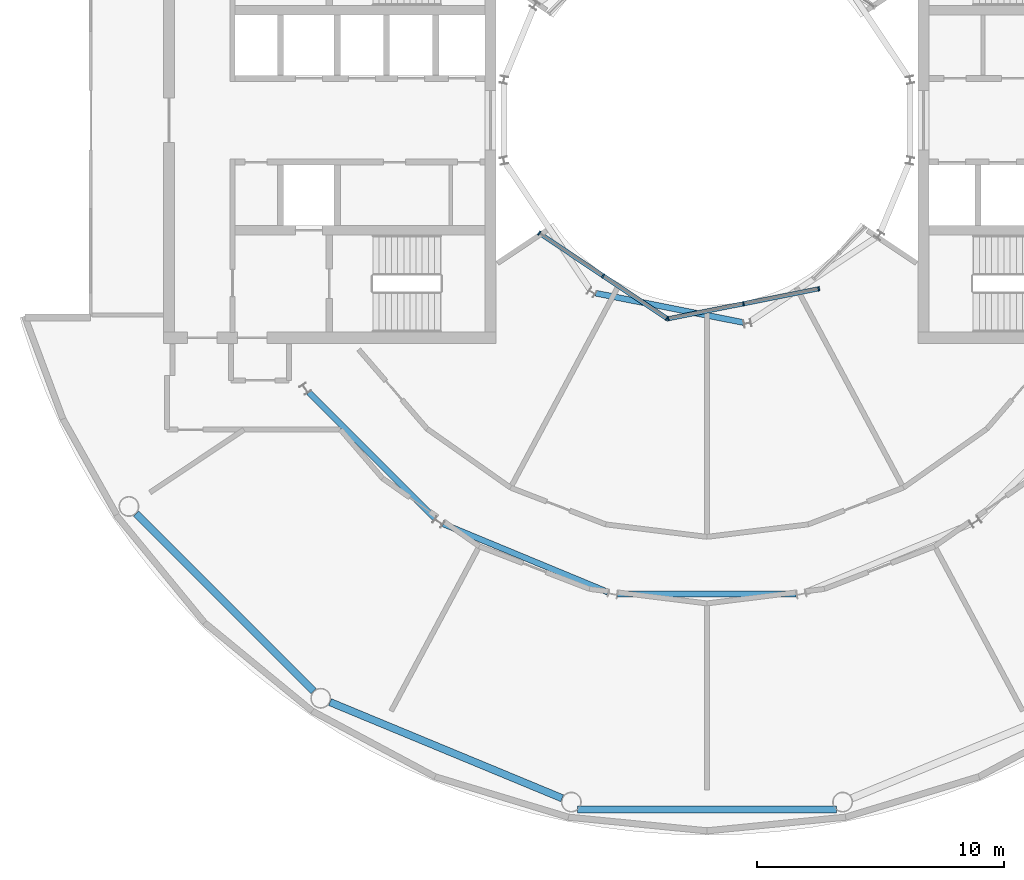
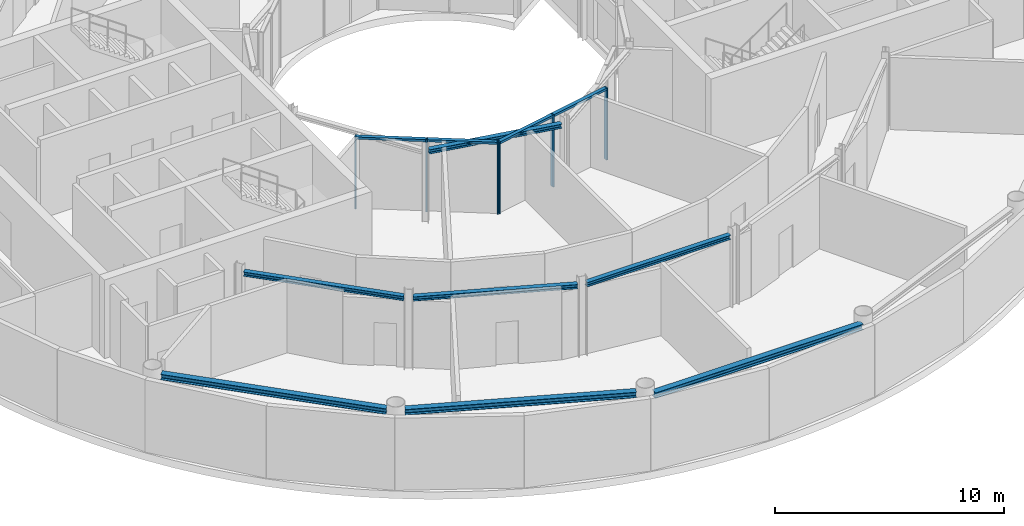
# One storey, part 6 of 19: 10 members, 7 beams, 2 elements without a shape of their own.
"""IFC4 building model written with IfcOpenShell, lengths in metres."""

from ifc_helpers import new_model, si_unit, direction, frame, origin, origin_2d, place, context, subcontext, project, spatial, rectangle, i_section, extrude, material, layer, layer_set, material_profile, profile_set, type_object, element, aggregate, save


model = new_model("IFC4")

# Units and contexts
model_context = context("Model", 3, precision=1e-05, world=origin(), true_north=direction((0.0, 1.0)))
body_context = subcontext(model_context, "Body", "Model", "MODEL_VIEW")
ifc_project = project(units=[si_unit("LENGTHUNIT", "METRE"), si_unit("AREAUNIT", "SQUARE_METRE"), si_unit("VOLUMEUNIT", "CUBIC_METRE"), si_unit("PLANEANGLEUNIT", "RADIAN"), si_unit("MASSUNIT", "GRAM", prefix="KILO")], contexts=[model_context])

# Site, building, storey
site_placement = place(None, origin())
site = spatial("IfcSite", under=ifc_project, at=site_placement, CompositionType="ELEMENT")
building_placement = place(site_placement, origin())
building = spatial("IfcBuilding", under=site, at=building_placement, Name="Maasbend Ring Residences", CompositionType="ELEMENT")
storey_placement = place(building_placement, frame((0.0, 0.0, 186.0)))
storey = spatial("IfcBuildingStorey", under=building, at=storey_placement, Name="L53", CompositionType="ELEMENT", Elevation=186.0)

# Curtain wall, members
ifc_material_1 = material(Name="Aluminium and clear glass", Category="aluminium")
ifc_layer = layer(ifc_material_1, 0.179931640625)
ifc_layer_set = layer_set([ifc_layer], Name="CW-W")
curtain_wall_type = type_object("IfcCurtainWallType", Name="CW-W", PredefinedType="NOTDEFINED", material=ifc_layer_set)
curtain_wall_1_placement = place(storey_placement, origin())
curtain_wall_1 = element("IfcCurtainWall", 1, at=curtain_wall_1_placement, inside=storey, type_object=curtain_wall_type, Name="Well curtain wall S1", PredefinedType="NOTDEFINED")
ifc_material_2 = material(Name="Aluminium 6063-T6", Category="aluminium")
ifc_material_profile_1 = material_profile(ifc_material_2, rectangle(XDim=0.179931640625, YDim=0.06005859375, at=origin_2d()), Name="AL 180x60")
ifc_profile_set_1 = profile_set([ifc_material_profile_1], Name="Aluminium 6063-T6")
member_type_1 = type_object("IfcMemberType", Name="CWM-W", PredefinedType="MULLION", material=ifc_profile_set_1)
member_1_placement = place(storey_placement, frame((-6.805908203125, -4.580810546875, 0.0), z_axis=(0.0, 0.0, 1.0), x_axis=(0.55557023302, 0.831469612303, 0.0)))
member_1 = element("IfcMember", 2, at=member_1_placement, type_object=member_type_1, Name="Mullion well face", PredefinedType="MULLION", context=body_context, shape_type="SweptSolid", body=[
    extrude(rectangle(XDim=0.179931640625, YDim=0.06005859375, at=origin_2d()), origin(), (0.0, 0.0, 1.0), 3.85009765625),
])
member_2_placement = place(storey_placement, frame((-4.216796875, -6.310791015625, 0.0), z_axis=(0.0, 0.0, 1.0), x_axis=(0.55557023302, 0.831469612303, 0.0)))
member_2 = element("IfcMember", 3, at=member_2_placement, type_object=member_type_1, Name="Mullion well face", PredefinedType="MULLION", context=body_context, shape_type="SweptSolid", body=[
    extrude(rectangle(XDim=0.179931640625, YDim=0.06005859375, at=origin_2d()), origin(), (0.0, 0.0, 1.0), 3.85009765625),
])
member_3_placement = place(storey_placement, frame((-1.627685546875, -8.040771484375, 0.0), z_axis=(0.0, 0.0, 1.0), x_axis=(0.55557023302, 0.831469612303, 0.0)))
member_3 = element("IfcMember", 4, at=member_3_placement, type_object=member_type_1, Name="Mullion well face", PredefinedType="MULLION", context=body_context, shape_type="SweptSolid", body=[
    extrude(rectangle(XDim=0.179931640625, YDim=0.06005859375, at=origin_2d()), origin(), (0.0, 0.0, 1.0), 3.85009765625),
])

curtain_wall_2_placement = place(storey_placement, origin())
curtain_wall_2 = element("IfcCurtainWall", 5, at=curtain_wall_2_placement, inside=storey, type_object=curtain_wall_type, Name="Well curtain wall S2", PredefinedType="NOTDEFINED")
member_4_placement = place(storey_placement, frame((-1.5732421875, -8.0517578125, 0.0), z_axis=(0.0, 0.0, 1.0), x_axis=(-0.195090322016, 0.980785280403, 0.0)))
member_4 = element("IfcMember", 6, at=member_4_placement, type_object=member_type_1, Name="Mullion well face", PredefinedType="MULLION", context=body_context, shape_type="SweptSolid", body=[
    extrude(rectangle(XDim=0.179931640625, YDim=0.06005859375, at=origin_2d()), origin(), (0.0, 0.0, 1.0), 3.85009765625),
])
member_5_placement = place(storey_placement, frame((1.480712890625, -7.444091796875, 0.0), z_axis=(0.0, 0.0, 1.0), x_axis=(-0.195090322016, 0.980785280403, 0.0)))
member_5 = element("IfcMember", 7, at=member_5_placement, type_object=member_type_1, Name="Mullion well face", PredefinedType="MULLION", context=body_context, shape_type="SweptSolid", body=[
    extrude(rectangle(XDim=0.179931640625, YDim=0.06005859375, at=origin_2d()), origin(), (0.0, 0.0, 1.0), 3.85009765625),
])
member_6_placement = place(storey_placement, frame((4.53466796875, -6.836669921875, 0.0), z_axis=(0.0, 0.0, 1.0), x_axis=(-0.195090322016, 0.980785280403, 0.0)))
member_6 = element("IfcMember", 8, at=member_6_placement, type_object=member_type_1, Name="Mullion well face", PredefinedType="MULLION", context=body_context, shape_type="SweptSolid", body=[
    extrude(rectangle(XDim=0.179931640625, YDim=0.06005859375, at=origin_2d()), origin(), (0.0, 0.0, 1.0), 3.85009765625),
])

# Member
ifc_material_3 = material(Name="Aluminium 6063-T6", Category="aluminium")
ifc_material_profile_2 = material_profile(ifc_material_3, rectangle(XDim=0.179931640625, YDim=0.1201171875, at=origin_2d()), Name="AL 180x120")
ifc_profile_set_2 = profile_set([ifc_material_profile_2], Name="Aluminium 6063-T6")
member_type_2 = type_object("IfcMemberType", Name="CWT-W", PredefinedType="USERDEFINED", material=ifc_profile_set_2)
member_7_placement = place(storey_placement, frame((-6.781005859375, -4.59765625, 3.7900390625), z_axis=(0.831496422459, -0.555530106689, 0.0), x_axis=(0.555530106689, 0.831496422459, 0.0)))
member_7 = element("IfcMember", 9, at=member_7_placement, type_object=member_type_2, Name="Transom well face", ObjectType="TRANSOM", PredefinedType="USERDEFINED", context=body_context, shape_type="SweptSolid", body=[
    extrude(rectangle(XDim=0.179931640625, YDim=0.1201171875, at=origin_2d()), origin(), (0.0, 0.0, 1.0), 3.053955078125),
])

member_8_placement = place(storey_placement, frame((-4.19189453125, -6.32763671875, 3.7900390625), z_axis=(0.831496422459, -0.555530106689, 0.0), x_axis=(0.555530106689, 0.831496422459, 0.0)))
member_8 = element("IfcMember", 10, at=member_8_placement, type_object=member_type_2, Name="Transom well face", ObjectType="TRANSOM", PredefinedType="USERDEFINED", context=body_context, shape_type="SweptSolid", body=[
    extrude(rectangle(XDim=0.179931640625, YDim=0.1201171875, at=origin_2d()), origin(), (0.0, 0.0, 1.0), 3.053955078125),
])

aggregate(curtain_wall_1, [member_1, member_2, member_3, member_7, member_8])

member_9_placement = place(storey_placement, frame((-1.5439453125, -8.0458984375, 3.7900390625), z_axis=(0.980776956105, 0.195132166424, 0.0), x_axis=(-0.195132166424, 0.980776956105, 0.0)))
member_9 = element("IfcMember", 11, at=member_9_placement, type_object=member_type_2, Name="Transom well face", ObjectType="TRANSOM", PredefinedType="USERDEFINED", context=body_context, shape_type="SweptSolid", body=[
    extrude(rectangle(XDim=0.179931640625, YDim=0.1201171875, at=origin_2d()), origin(), (0.0, 0.0, 1.0), 3.053955078125),
])

member_10_placement = place(storey_placement, frame((1.51025390625, -7.438232421875, 3.7900390625), z_axis=(0.980789210404, 0.19507056353, 0.0), x_axis=(-0.19507056353, 0.980789210404, 0.0)))
member_10 = element("IfcMember", 12, at=member_10_placement, type_object=member_type_2, Name="Transom well face", ObjectType="TRANSOM", PredefinedType="USERDEFINED", context=body_context, shape_type="SweptSolid", body=[
    extrude(rectangle(XDim=0.179931640625, YDim=0.1201171875, at=origin_2d()), origin(), (0.0, 0.0, 1.0), 3.0537109375),
])

aggregate(curtain_wall_2, [member_4, member_5, member_6, member_9, member_10])

# Beams
ifc_material_4 = material(Name="Steel S355J2", Category="steel")
ifc_material_profile_3 = material_profile(ifc_material_4, i_section(OverallWidth=0.239990234375, OverallDepth=0.22998046875, WebThickness=0.007568359375, FlangeThickness=0.011962890625, FilletRadius=0.02099609375, at=origin_2d()), Name="HEA 240")
ifc_profile_set_3 = profile_set([ifc_material_profile_3], Name="Steel S355J2")
beam_type_1 = type_object("IfcBeamType", Name="Corridor ring beam HEA 240", PredefinedType="BEAM", material=ifc_profile_set_3)
beam_1_placement = place(storey_placement, frame((-16.152587890625, -11.033447265625, 3.735107421875), z_axis=(0.707106781187, -0.707106781187, 0.0), x_axis=(0.707106781187, 0.707106781187, 0.0)))
element("IfcBeam", 13, at=beam_1_placement, inside=storey, type_object=beam_type_1, Name="Corridor ring beam", PredefinedType="BEAM", context=body_context, shape_type="SweptSolid", body=[
    extrude(i_section(OverallWidth=0.239990234375, OverallDepth=0.22998046875, WebThickness=0.007568359375, FlangeThickness=0.011962890625, FilletRadius=0.02099609375, at=origin_2d()), origin(), (0.0, 0.0, 1.0), 7.239501953125),
])
for number, where, z_axis, x_axis, name in (
    (14, (-10.70068359375, -16.374755859375, 3.735107421875), (0.923865162022, -0.382718123952, 0.0), (0.382718123952, 0.923865162022, 0.0), "Corridor ring beam"),
    (15, (-3.619873046875, -19.223388671875, 3.735107421875), (1.0, 0.0, 0.0), (0.0, 1.0, 0.0), "Corridor ring beam"),
):
    element("IfcBeam", number, at=place(storey_placement, frame(where, z_axis=z_axis, x_axis=x_axis)), inside=storey, type_object=beam_type_1, Name=name, PredefinedType="BEAM", context=body_context, shape_type="SweptSolid", body=[
        extrude(i_section(OverallWidth=0.239990234375, OverallDepth=0.22998046875, WebThickness=0.007568359375, FlangeThickness=0.011962890625, FilletRadius=0.02099609375, at=origin_2d()), origin(), (0.0, 0.0, 1.0), 7.23974609375),
    ])
ifc_material_5 = material(Name="Steel S355J2", Category="steel")
ifc_material_profile_4 = material_profile(ifc_material_5, i_section(OverallWidth=0.300048828125, OverallDepth=0.300048828125, WebThickness=0.010986328125, FlangeThickness=0.01904296875, FilletRadius=0.027099609375, at=origin_2d()), Name="HEB 300")
ifc_profile_set_4 = profile_set([ifc_material_profile_4], Name="Steel S355J2")
beam_type_2 = type_object("IfcBeamType", Name="Spandrel ring beam HEB 300", PredefinedType="SPANDREL", material=ifc_profile_set_4)
for number, where, z_axis, x_axis, name in (
    (16, (-23.159912109375, -15.95458984375, 3.699951171875), (0.707106781187, -0.707106781187, 0.0), (0.707106781187, 0.707106781187, 0.0), "Spandrel ring beam"),
    (17, (-15.29150390625, -23.60302734375, 3.699951171875), (0.923883676188, -0.382673428492, 0.0), (0.382673428492, 0.923883676188, 0.0), "Spandrel ring beam"),
):
    element("IfcBeam", number, at=place(storey_placement, frame(where, z_axis=z_axis, x_axis=x_axis)), inside=storey, type_object=beam_type_2, Name=name, PredefinedType="SPANDREL", context=body_context, shape_type="SweptSolid", body=[
        extrude(i_section(OverallWidth=0.300048828125, OverallDepth=0.300048828125, WebThickness=0.010986328125, FlangeThickness=0.01904296875, FilletRadius=0.027099609375, at=origin_2d()), origin(), (0.0, 0.0, 1.0), 10.18994140625),
    ])
beam_2_placement = place(storey_placement, frame((-5.2451171875, -27.9580078125, 3.699951171875), z_axis=(1.0, 0.0, 0.0), x_axis=(0.0, 1.0, 0.0)))
element("IfcBeam", 18, at=beam_2_placement, inside=storey, type_object=beam_type_2, Name="Spandrel ring beam", PredefinedType="SPANDREL", context=body_context, shape_type="SweptSolid", body=[
    extrude(i_section(OverallWidth=0.300048828125, OverallDepth=0.300048828125, WebThickness=0.010986328125, FlangeThickness=0.01904296875, FilletRadius=0.027099609375, at=origin_2d()), origin(), (0.0, 0.0, 1.0), 10.490234375),
])
ifc_material_6 = material(Name="Steel S355J2", Category="steel")
ifc_material_profile_5 = material_profile(ifc_material_6, i_section(OverallWidth=0.239990234375, OverallDepth=0.22998046875, WebThickness=0.007568359375, FlangeThickness=0.011962890625, FilletRadius=0.02099609375, at=origin_2d()), Name="HEA 240")
ifc_profile_set_5 = profile_set([ifc_material_profile_5], Name="Steel S355J2")
beam_type_3 = type_object("IfcBeamType", Name="Well edge beam HEA 240", PredefinedType="BEAM", material=ifc_profile_set_5)
beam_3_placement = place(storey_placement, frame((-4.512939453125, -7.014892578125, 3.735107421875), z_axis=(0.980782836869, -0.195102606089, 0.0), x_axis=(0.195102606089, 0.980782836869, 0.0)))
element("IfcBeam", 19, at=beam_3_placement, inside=storey, type_object=beam_type_3, Name="Well edge beam", PredefinedType="BEAM", context=body_context, shape_type="SweptSolid", body=[
    extrude(i_section(OverallWidth=0.239990234375, OverallDepth=0.22998046875, WebThickness=0.007568359375, FlangeThickness=0.011962890625, FilletRadius=0.02099609375, at=origin_2d()), origin(), (0.0, 0.0, 1.0), 6.115234375),
])

save(model, "model.ifc")
